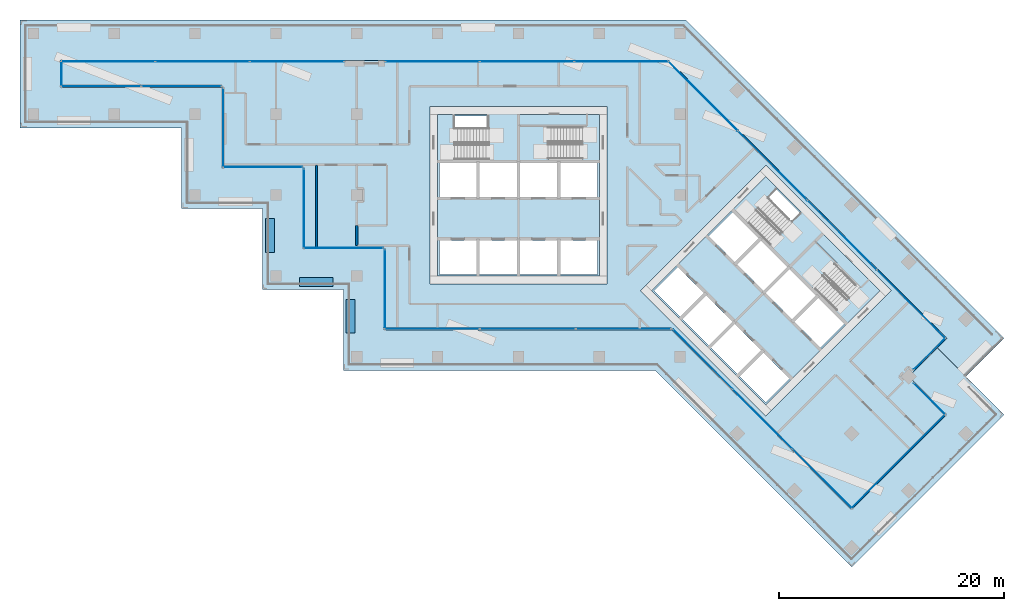
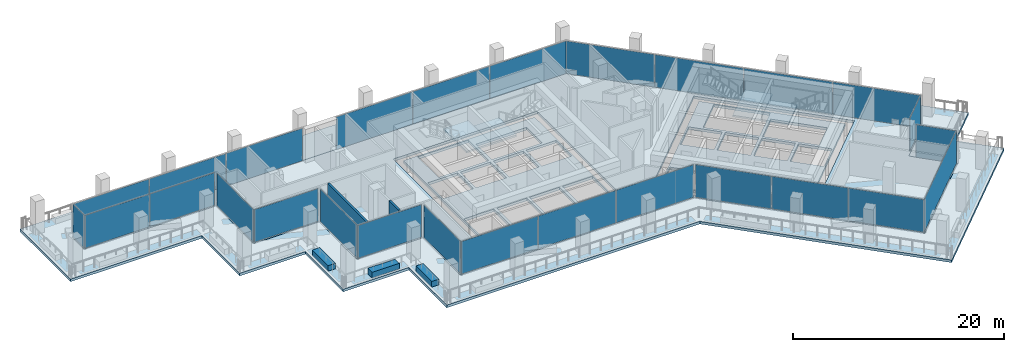
# One storey, part 9 of 21: 27 plates, 8 slabs, 5 walls, 22 openings, 19 elements without a shape of their own.
"""IFC4 building model written with IfcOpenShell, lengths in metres."""

from ifc_helpers import new_model, si_unit, direction, frame, frame_2d, origin, origin_2d, place, context, subcontext, project, spatial, polyline, rectangle, outline, extrude, material, layer, layer_set, type_object, element, aggregate, save


model = new_model("IFC4")

# Units and contexts
model_context = context("Model", 3, precision=1e-05, world=origin(), true_north=direction((0.0, 1.0)))
body_context = subcontext(model_context, "Body", "Model", "MODEL_VIEW")
ifc_project = project(units=[si_unit("LENGTHUNIT", "METRE"), si_unit("AREAUNIT", "SQUARE_METRE"), si_unit("VOLUMEUNIT", "CUBIC_METRE"), si_unit("PLANEANGLEUNIT", "RADIAN"), si_unit("MASSUNIT", "GRAM", prefix="KILO")], contexts=[model_context])

# Site, building, storey
site_placement = place(None, origin())
site = spatial("IfcSite", under=ifc_project, at=site_placement, CompositionType="ELEMENT")
building_placement = place(site_placement, origin())
building = spatial("IfcBuilding", under=site, at=building_placement, Name="Windrow Commons", CompositionType="ELEMENT")
storey_placement = place(building_placement, frame((0.0, 0.0, 131.2)))
storey = spatial("IfcBuildingStorey", under=building, at=storey_placement, Name="L35", CompositionType="ELEMENT", Elevation=131.2)

# Slab, openings
ifc_material_1 = material(Name="Concrete C50/60", Category="concrete")
ifc_layer_1 = layer(ifc_material_1, 0.3)
ifc_layer_set_1 = layer_set([ifc_layer_1], Name="CORE FLOOR SLAB 300 C50/60")
slab_type_1 = type_object("IfcSlabType", Name="CORE FLOOR SLAB 300 C50/60", PredefinedType="FLOOR", material=ifc_layer_set_1)
placement_1 = place(storey_placement, frame((0.0, 0.0, -0.3)))
slab_1 = element("IfcSlab", 1, at=placement_1, inside=storey, type_object=slab_type_1, Name="S-L35-core-A", PredefinedType="FLOOR", context=body_context, shape_type="SweptSolid", body=[
    extrude(outline(polyline([(57.6, 50.4), (72.0, 50.4), (72.0, 64.8), (57.6, 64.8), (57.6, 50.4)]), holes=[polyline([(57.75, 50.55), (61.05, 50.55), (61.05, 53.55), (57.75, 53.55), (57.75, 50.55)]), polyline([(61.35, 50.55), (64.65, 50.55), (64.65, 53.55), (61.35, 53.55), (61.35, 50.55)]), polyline([(64.95, 50.55), (68.25, 50.55), (68.25, 53.55), (64.95, 53.55), (64.95, 50.55)]), polyline([(68.55, 50.55), (71.85, 50.55), (71.85, 53.55), (68.55, 53.55), (68.55, 50.55)]), polyline([(57.75, 57.45), (61.05, 57.45), (61.05, 60.45), (57.75, 60.45), (57.75, 57.45)]), polyline([(61.35, 57.45), (64.65, 57.45), (64.65, 60.45), (61.35, 60.45), (61.35, 57.45)]), polyline([(64.95, 57.45), (68.25, 57.45), (68.25, 60.45), (64.95, 60.45), (64.95, 57.45)]), polyline([(68.55, 57.45), (71.85, 57.45), (71.85, 60.45), (68.55, 60.45), (68.55, 57.45)]), polyline([(59.1, 60.75), (64.65, 60.75), (64.65, 64.65), (59.1, 64.65), (59.1, 60.75)]), polyline([(64.95, 60.75), (70.5, 60.75), (70.5, 63.705), (64.95, 63.705), (64.95, 60.75)])]), origin(), (0.0, 0.0, 1.0), 0.3),
])
opening_1_placement = place(placement_1, origin())
element("IfcOpeningElement", 2, at=opening_1_placement, cuts=slab_1, Name="Slab opening S-L35-core-A 1", PredefinedType="OPENING", context=body_context, shape_type="SweptSolid", body=[
    extrude(outline(polyline([(57.755, 50.555), (57.755, 53.545), (61.045, 53.545), (61.045, 50.555), (57.755, 50.555)])), origin(), (0.0, 0.0, 1.0), 0.3),
])
opening_2_placement = place(placement_1, origin())
element("IfcOpeningElement", 3, at=opening_2_placement, cuts=slab_1, Name="Slab opening S-L35-core-A 2", PredefinedType="OPENING", context=body_context, shape_type="SweptSolid", body=[
    extrude(outline(polyline([(61.355, 50.555), (61.355, 53.545), (64.645, 53.545), (64.645, 50.555), (61.355, 50.555)])), origin(), (0.0, 0.0, 1.0), 0.3),
])
opening_3_placement = place(placement_1, origin())
element("IfcOpeningElement", 4, at=opening_3_placement, cuts=slab_1, Name="Slab opening S-L35-core-A 3", PredefinedType="OPENING", context=body_context, shape_type="SweptSolid", body=[
    extrude(outline(polyline([(64.955, 50.555), (64.955, 53.545), (68.245, 53.545), (68.245, 50.555), (64.955, 50.555)])), origin(), (0.0, 0.0, 1.0), 0.3),
])
opening_4_placement = place(placement_1, origin())
element("IfcOpeningElement", 5, at=opening_4_placement, cuts=slab_1, Name="Slab opening S-L35-core-A 4", PredefinedType="OPENING", context=body_context, shape_type="SweptSolid", body=[
    extrude(outline(polyline([(68.555, 50.555), (68.555, 53.545), (71.845, 53.545), (71.845, 50.555), (68.555, 50.555)])), origin(), (0.0, 0.0, 1.0), 0.3),
])
opening_5_placement = place(placement_1, origin())
element("IfcOpeningElement", 6, at=opening_5_placement, cuts=slab_1, Name="Slab opening S-L35-core-A 5", PredefinedType="OPENING", context=body_context, shape_type="SweptSolid", body=[
    extrude(outline(polyline([(57.755, 57.455), (57.755, 60.445), (61.045, 60.445), (61.045, 57.455), (57.755, 57.455)])), origin(), (0.0, 0.0, 1.0), 0.3),
])
opening_6_placement = place(placement_1, origin())
element("IfcOpeningElement", 7, at=opening_6_placement, cuts=slab_1, Name="Slab opening S-L35-core-A 6", PredefinedType="OPENING", context=body_context, shape_type="SweptSolid", body=[
    extrude(outline(polyline([(61.355, 57.455), (61.355, 60.445), (64.645, 60.445), (64.645, 57.455), (61.355, 57.455)])), origin(), (0.0, 0.0, 1.0), 0.3),
])
opening_7_placement = place(placement_1, origin())
element("IfcOpeningElement", 8, at=opening_7_placement, cuts=slab_1, Name="Slab opening S-L35-core-A 7", PredefinedType="OPENING", context=body_context, shape_type="SweptSolid", body=[
    extrude(outline(polyline([(64.955, 57.455), (64.955, 60.445), (68.245, 60.445), (68.245, 57.455), (64.955, 57.455)])), origin(), (0.0, 0.0, 1.0), 0.3),
])
opening_8_placement = place(placement_1, origin())
element("IfcOpeningElement", 9, at=opening_8_placement, cuts=slab_1, Name="Slab opening S-L35-core-A 8", PredefinedType="OPENING", context=body_context, shape_type="SweptSolid", body=[
    extrude(outline(polyline([(68.555, 57.455), (68.555, 60.445), (71.845, 60.445), (71.845, 57.455), (68.555, 57.455)])), origin(), (0.0, 0.0, 1.0), 0.3),
])
opening_9_placement = place(placement_1, origin())
element("IfcOpeningElement", 10, at=opening_9_placement, cuts=slab_1, Name="Slab opening S-L35-core-A 9", PredefinedType="OPENING", context=body_context, shape_type="SweptSolid", body=[
    extrude(outline(polyline([(59.105, 60.755), (59.105, 64.645), (64.645, 64.645), (64.645, 60.755), (59.105, 60.755)])), origin(), (0.0, 0.0, 1.0), 0.3),
])
opening_10_placement = place(placement_1, origin())
element("IfcOpeningElement", 11, at=opening_10_placement, cuts=slab_1, Name="Slab opening S-L35-core-A 10", PredefinedType="OPENING", context=body_context, shape_type="SweptSolid", body=[
    extrude(outline(polyline([(64.955, 60.755), (64.955, 63.7), (70.495, 63.7), (70.495, 60.755), (64.955, 60.755)])), origin(), (0.0, 0.0, 1.0), 0.3),
])

slab_2 = element("IfcSlab", 12, at=placement_1, inside=storey, type_object=slab_type_1, Name="S-L35-core-B", PredefinedType="FLOOR", context=body_context, shape_type="SweptSolid", body=[
    extrude(outline(polyline([(76.6544, 49.0897), (86.8368, 38.9074), (97.0191, 49.0897), (86.8368, 59.2721), (76.6544, 49.0897)]), holes=[polyline([(76.8665, 49.0897), (79.2, 46.7563), (81.3213, 48.8776), (78.9879, 51.2111), (76.8665, 49.0897)]), polyline([(79.4121, 46.5442), (81.7456, 44.2107), (83.8669, 46.332), (81.5335, 48.6655), (79.4121, 46.5442)]), polyline([(81.9577, 43.9986), (84.2912, 41.6651), (86.4125, 43.7864), (84.079, 46.1199), (81.9577, 43.9986)]), polyline([(84.5033, 41.453), (86.8368, 39.1195), (88.9581, 41.2409), (86.6246, 43.5743), (84.5033, 41.453)]), polyline([(81.7456, 53.9688), (84.079, 51.6353), (86.2004, 53.7566), (83.8669, 56.0901), (81.7456, 53.9688)]), polyline([(84.2912, 51.4232), (86.6246, 49.0897), (88.7459, 51.2111), (86.4125, 53.5445), (84.2912, 51.4232)]), polyline([(86.8368, 48.8776), (89.1702, 46.5442), (91.2915, 48.6655), (88.9581, 50.9989), (86.8368, 48.8776)]), polyline([(89.3823, 46.332), (91.7158, 43.9986), (93.8371, 46.1199), (91.5037, 48.4533), (89.3823, 46.332)]), polyline([(85.0336, 55.3476), (88.9581, 51.4232), (91.7158, 54.1809), (87.7913, 58.1054), (85.0336, 55.3476)]), polyline([(89.1702, 51.2111), (93.0946, 47.2866), (95.1841, 49.3761), (91.2597, 53.3006), (89.1702, 51.2111)])]), origin(), (0.0, 0.0, 1.0), 0.3),
])
opening_11_placement = place(placement_1, origin())
element("IfcOpeningElement", 13, at=opening_11_placement, cuts=slab_2, Name="Slab opening S-L35-core-B 1", PredefinedType="OPENING", context=body_context, shape_type="SweptSolid", body=[
    extrude(outline(polyline([(76.8736, 49.0897), (78.9879, 51.204), (81.3142, 48.8776), (79.2, 46.7634), (76.8736, 49.0897)])), origin(), (0.0, 0.0, 1.0), 0.3),
])
opening_12_placement = place(placement_1, origin())
element("IfcOpeningElement", 14, at=opening_12_placement, cuts=slab_2, Name="Slab opening S-L35-core-B 2", PredefinedType="OPENING", context=body_context, shape_type="SweptSolid", body=[
    extrude(outline(polyline([(79.4192, 46.5442), (81.5335, 48.6584), (83.8598, 46.332), (81.7456, 44.2178), (79.4192, 46.5442)])), origin(), (0.0, 0.0, 1.0), 0.3),
])
opening_13_placement = place(placement_1, origin())
element("IfcOpeningElement", 15, at=opening_13_placement, cuts=slab_2, Name="Slab opening S-L35-core-B 3", PredefinedType="OPENING", context=body_context, shape_type="SweptSolid", body=[
    extrude(outline(polyline([(81.9648, 43.9986), (84.079, 46.1128), (86.4054, 43.7864), (84.2912, 41.6722), (81.9648, 43.9986)])), origin(), (0.0, 0.0, 1.0), 0.3),
])
opening_14_placement = place(placement_1, origin())
element("IfcOpeningElement", 16, at=opening_14_placement, cuts=slab_2, Name="Slab opening S-L35-core-B 4", PredefinedType="OPENING", context=body_context, shape_type="SweptSolid", body=[
    extrude(outline(polyline([(84.5104, 41.453), (86.6246, 43.5672), (88.951, 41.2409), (86.8368, 39.1266), (84.5104, 41.453)])), origin(), (0.0, 0.0, 1.0), 0.3),
])
opening_15_placement = place(placement_1, origin())
element("IfcOpeningElement", 17, at=opening_15_placement, cuts=slab_2, Name="Slab opening S-L35-core-B 5", PredefinedType="OPENING", context=body_context, shape_type="SweptSolid", body=[
    extrude(outline(polyline([(81.7527, 53.9688), (83.8669, 56.083), (86.1933, 53.7566), (84.079, 51.6424), (81.7527, 53.9688)])), origin(), (0.0, 0.0, 1.0), 0.3),
])
opening_16_placement = place(placement_1, origin())
element("IfcOpeningElement", 18, at=opening_16_placement, cuts=slab_2, Name="Slab opening S-L35-core-B 6", PredefinedType="OPENING", context=body_context, shape_type="SweptSolid", body=[
    extrude(outline(polyline([(84.2983, 51.4232), (86.4125, 53.5374), (88.7388, 51.2111), (86.6246, 49.0968), (84.2983, 51.4232)])), origin(), (0.0, 0.0, 1.0), 0.3),
])
opening_17_placement = place(placement_1, origin())
element("IfcOpeningElement", 19, at=opening_17_placement, cuts=slab_2, Name="Slab opening S-L35-core-B 7", PredefinedType="OPENING", context=body_context, shape_type="SweptSolid", body=[
    extrude(outline(polyline([(86.8439, 48.8776), (88.9581, 50.9918), (91.2844, 48.6655), (89.1702, 46.5513), (86.8439, 48.8776)])), origin(), (0.0, 0.0, 1.0), 0.3),
])
opening_18_placement = place(placement_1, origin())
element("IfcOpeningElement", 20, at=opening_18_placement, cuts=slab_2, Name="Slab opening S-L35-core-B 8", PredefinedType="OPENING", context=body_context, shape_type="SweptSolid", body=[
    extrude(outline(polyline([(89.3894, 46.332), (91.5037, 48.4462), (93.83, 46.1199), (91.7158, 44.0057), (89.3894, 46.332)])), origin(), (0.0, 0.0, 1.0), 0.3),
])
opening_19_placement = place(placement_1, origin())
element("IfcOpeningElement", 21, at=opening_19_placement, cuts=slab_2, Name="Slab opening S-L35-core-B 9", PredefinedType="OPENING", context=body_context, shape_type="SweptSolid", body=[
    extrude(outline(polyline([(85.0407, 55.3476), (87.7913, 58.0983), (91.7087, 54.1809), (88.9581, 51.4303), (85.0407, 55.3476)])), origin(), (0.0, 0.0, 1.0), 0.3),
])
opening_20_placement = place(placement_1, origin())
element("IfcOpeningElement", 22, at=opening_20_placement, cuts=slab_2, Name="Slab opening S-L35-core-B 10", PredefinedType="OPENING", context=body_context, shape_type="SweptSolid", body=[
    extrude(outline(polyline([(89.1773, 51.2111), (91.2597, 53.2935), (95.177, 49.3761), (93.0946, 47.2937), (89.1773, 51.2111)])), origin(), (0.0, 0.0, 1.0), 0.3),
])

# Curtain wall, plate
ifc_material_2 = material(Name="Clear laminated glass in Aluminium 6063-T6 anodised frame", Category="aluminium")
curtain_wall_type = type_object("IfcCurtainWallType", Name="Curtain wall CW2M sky lounge mid", PredefinedType="USERDEFINED", material=ifc_material_2)
placement_2 = place(storey_placement, origin())
curtain_wall_1 = element("IfcCurtainWall", 23, at=placement_2, inside=storey, type_object=curtain_wall_type, Name="Curtain wall CW2M L35 1", ObjectType="UNITISED", PredefinedType="USERDEFINED")
ifc_material_3 = material(Name="Clear laminated glass", Category="glass")
ifc_layer_2 = layer(ifc_material_3, 0.03)
ifc_layer_set_2 = layer_set([ifc_layer_2], Name="CW2M panel glass 30")
plate_type = type_object("IfcPlateType", Name="CW2M panel glass 30", PredefinedType="CURTAIN_PANEL", material=ifc_layer_set_2)
plate_1_placement = place(storey_placement, frame((101.4382, 39.4381, 0.06), z_axis=(0.0, 0.0, 1.0), x_axis=(-0.7071067812, 0.7071067812, 0.0)))
plate_1 = element("IfcPlate", 24, at=plate_1_placement, type_object=plate_type, Name="CW2M panel 1.1", PredefinedType="CURTAIN_PANEL", context=body_context, shape_type="SweptSolid", body=[
    extrude(rectangle(XDim=3.9809, YDim=0.03, at=origin_2d()), origin(), (0.0, 0.0, 1.0), 3.78),
])
aggregate(curtain_wall_1, [plate_1])

curtain_wall_2 = element("IfcCurtainWall", 25, at=placement_2, inside=storey, type_object=curtain_wall_type, Name="Curtain wall CW2M L35 2", ObjectType="UNITISED", PredefinedType="USERDEFINED")
plate_2_placement = place(storey_placement, frame((101.4382, 43.4679, 0.06), z_axis=(0.0, 0.0, 1.0), x_axis=(0.7071067812, 0.7071067812, 0.0)))
plate_2 = element("IfcPlate", 26, at=plate_2_placement, type_object=plate_type, Name="CW2M panel 1.1", PredefinedType="CURTAIN_PANEL", context=body_context, shape_type="SweptSolid", body=[
    extrude(rectangle(XDim=3.9809, YDim=0.03, at=origin_2d()), origin(), (0.0, 0.0, 1.0), 3.78),
])
aggregate(curtain_wall_2, [plate_2])

# Curtain wall, plates
curtain_wall_3 = element("IfcCurtainWall", 27, at=placement_2, inside=storey, type_object=curtain_wall_type, Name="Curtain wall CW2M L35 3", ObjectType="UNITISED", PredefinedType="USERDEFINED")
plate_3_placement = place(storey_placement, frame((99.7834, 47.8811, 0.06), z_axis=(0.0, 0.0, 1.0), x_axis=(-0.7071067812, 0.7071067812, 0.0)))
plate_3 = element("IfcPlate", 28, at=plate_3_placement, type_object=plate_type, Name="CW2M panel 1.1", PredefinedType="CURTAIN_PANEL", context=body_context, shape_type="SweptSolid", body=[
    extrude(rectangle(XDim=8.6615, YDim=0.03, at=origin_2d()), origin(), (0.0, 0.0, 1.0), 3.78),
])
plate_4_placement = place(storey_placement, frame((93.6058, 54.0587, 0.06), z_axis=(0.0, 0.0, 1.0), x_axis=(-0.7071067812, 0.7071067812, 0.0)))
plate_4 = element("IfcPlate", 29, at=plate_4_placement, type_object=plate_type, Name="CW2M panel 2.1", PredefinedType="CURTAIN_PANEL", context=body_context, shape_type="SweptSolid", body=[
    extrude(rectangle(XDim=8.6915, YDim=0.03, at=origin_2d()), origin(), (0.0, 0.0, 1.0), 3.78),
])
plate_5_placement = place(storey_placement, frame((87.4175, 60.247, 0.06), z_axis=(0.0, 0.0, 1.0), x_axis=(-0.7071067812, 0.7071067812, 0.0)))
plate_5 = element("IfcPlate", 30, at=plate_5_placement, type_object=plate_type, Name="CW2M panel 3.1", PredefinedType="CURTAIN_PANEL", context=body_context, shape_type="SweptSolid", body=[
    extrude(rectangle(XDim=8.6915, YDim=0.03, at=origin_2d()), origin(), (0.0, 0.0, 1.0), 3.78),
])
plate_6_placement = place(storey_placement, frame((81.2399, 66.4246, 0.06), z_axis=(0.0, 0.0, 1.0), x_axis=(-0.7071067812, 0.7071067812, 0.0)))
plate_6 = element("IfcPlate", 31, at=plate_6_placement, type_object=plate_type, Name="CW2M panel 4.1", PredefinedType="CURTAIN_PANEL", context=body_context, shape_type="SweptSolid", body=[
    extrude(rectangle(XDim=8.6615, YDim=0.03, at=origin_2d()), origin(), (0.0, 0.0, 1.0), 3.78),
])
aggregate(curtain_wall_3, [plate_3, plate_4, plate_5, plate_6])

curtain_wall_4 = element("IfcCurtainWall", 32, at=placement_2, inside=storey, type_object=curtain_wall_type, Name="Curtain wall CW2M L35 4.1", ObjectType="UNITISED", PredefinedType="USERDEFINED")
plate_7_placement = place(storey_placement, frame((73.9737, 69.5, 0.06), z_axis=(0.0, 0.0, 1.0), x_axis=(-1.0, 0.0, 0.0)))
plate_7 = element("IfcPlate", 33, at=plate_7_placement, type_object=plate_type, Name="CW2M panel 1.1", PredefinedType="CURTAIN_PANEL", context=body_context, shape_type="SweptSolid", body=[
    extrude(rectangle(XDim=8.3443, YDim=0.03, at=origin_2d()), origin(), (0.0, 0.0, 1.0), 3.78),
])
plate_8_placement = place(storey_placement, frame((65.5544, 69.5, 0.06), z_axis=(0.0, 0.0, 1.0), x_axis=(-1.0, 0.0, 0.0)))
plate_8 = element("IfcPlate", 34, at=plate_8_placement, type_object=plate_type, Name="CW2M panel 2.1", PredefinedType="CURTAIN_PANEL", context=body_context, shape_type="SweptSolid", body=[
    extrude(rectangle(XDim=8.3743, YDim=0.03, at=origin_2d()), origin(), (0.0, 0.0, 1.0), 3.78),
])
plate_9_placement = place(storey_placement, frame((57.1351, 69.5, 0.06), z_axis=(0.0, 0.0, 1.0), x_axis=(-1.0, 0.0, 0.0)))
plate_9 = element("IfcPlate", 35, at=plate_9_placement, type_object=plate_type, Name="CW2M panel 3.1", PredefinedType="CURTAIN_PANEL", context=body_context, shape_type="SweptSolid", body=[
    extrude(rectangle(XDim=8.3443, YDim=0.03, at=origin_2d()), origin(), (0.0, 0.0, 1.0), 3.78),
])
aggregate(curtain_wall_4, [plate_7, plate_8, plate_9])

curtain_wall_5 = element("IfcCurtainWall", 36, at=placement_2, inside=storey, type_object=curtain_wall_type, Name="Curtain wall CW2M L35 4.2", ObjectType="UNITISED", PredefinedType="USERDEFINED")
plate_10_placement = place(storey_placement, frame((45.0707, 69.5, 0.06), z_axis=(0.0, 0.0, 1.0), x_axis=(-1.0, 0.0, 0.0)))
plate_10 = element("IfcPlate", 37, at=plate_10_placement, type_object=plate_type, Name="CW2M panel 1.1", PredefinedType="CURTAIN_PANEL", context=body_context, shape_type="SweptSolid", body=[
    extrude(rectangle(XDim=8.3443, YDim=0.03, at=origin_2d()), origin(), (0.0, 0.0, 1.0), 3.78),
])
plate_11_placement = place(storey_placement, frame((36.6514, 69.5, 0.06), z_axis=(0.0, 0.0, 1.0), x_axis=(-1.0, 0.0, 0.0)))
plate_11 = element("IfcPlate", 38, at=plate_11_placement, type_object=plate_type, Name="CW2M panel 2.1", PredefinedType="CURTAIN_PANEL", context=body_context, shape_type="SweptSolid", body=[
    extrude(rectangle(XDim=8.3743, YDim=0.03, at=origin_2d()), origin(), (0.0, 0.0, 1.0), 3.78),
])
plate_12_placement = place(storey_placement, frame((28.2322, 69.5, 0.06), z_axis=(0.0, 0.0, 1.0), x_axis=(-1.0, 0.0, 0.0)))
plate_12 = element("IfcPlate", 39, at=plate_12_placement, type_object=plate_type, Name="CW2M panel 3.1", PredefinedType="CURTAIN_PANEL", context=body_context, shape_type="SweptSolid", body=[
    extrude(rectangle(XDim=8.3443, YDim=0.03, at=origin_2d()), origin(), (0.0, 0.0, 1.0), 3.78),
])
aggregate(curtain_wall_5, [plate_10, plate_11, plate_12])

# Curtain wall, plate
curtain_wall_6 = element("IfcCurtainWall", 40, at=placement_2, inside=storey, type_object=curtain_wall_type, Name="Curtain wall CW2M L35 5", ObjectType="UNITISED", PredefinedType="USERDEFINED")
plate_13_placement = place(storey_placement, frame((24.1, 68.4, 0.06), z_axis=(0.0, 0.0, 1.0), x_axis=(0.0, -1.0, 0.0)))
plate_13 = element("IfcPlate", 41, at=plate_13_placement, type_object=plate_type, Name="CW2M panel 1.1", PredefinedType="CURTAIN_PANEL", context=body_context, shape_type="SweptSolid", body=[
    extrude(rectangle(XDim=2.28, YDim=0.03, at=origin_2d()), origin(), (0.0, 0.0, 1.0), 3.78),
])
aggregate(curtain_wall_6, [plate_13])

# Curtain wall, plates
curtain_wall_7 = element("IfcCurtainWall", 42, at=placement_2, inside=storey, type_object=curtain_wall_type, Name="Curtain wall CW2M L35 6", ObjectType="UNITISED", PredefinedType="USERDEFINED")
plate_14_placement = place(storey_placement, frame((27.615, 67.3, 0.06), z_axis=(0.0, 0.0, 1.0), x_axis=(1.0, 0.0, 0.0)))
plate_14 = element("IfcPlate", 43, at=plate_14_placement, type_object=plate_type, Name="CW2M panel 1.1", PredefinedType="CURTAIN_PANEL", context=body_context, shape_type="SweptSolid", body=[
    extrude(rectangle(XDim=7.11, YDim=0.03, at=origin_2d()), origin(), (0.0, 0.0, 1.0), 3.78),
])
plate_15_placement = place(storey_placement, frame((34.785, 67.3, 0.06), z_axis=(0.0, 0.0, 1.0), x_axis=(1.0, 0.0, 0.0)))
plate_15 = element("IfcPlate", 44, at=plate_15_placement, type_object=plate_type, Name="CW2M panel 2.1", PredefinedType="CURTAIN_PANEL", context=body_context, shape_type="SweptSolid", body=[
    extrude(rectangle(XDim=7.11, YDim=0.03, at=origin_2d()), origin(), (0.0, 0.0, 1.0), 3.78),
])
aggregate(curtain_wall_7, [plate_14, plate_15])

# Curtain wall, plate
curtain_wall_8 = element("IfcCurtainWall", 45, at=placement_2, inside=storey, type_object=curtain_wall_type, Name="Curtain wall CW2M L35 7", ObjectType="UNITISED", PredefinedType="USERDEFINED")
plate_16_placement = place(storey_placement, frame((38.5, 63.6, 0.06), z_axis=(0.0, 0.0, 1.0), x_axis=(0.0, -1.0, 0.0)))
plate_16 = element("IfcPlate", 46, at=plate_16_placement, type_object=plate_type, Name="CW2M panel 1.1", PredefinedType="CURTAIN_PANEL", context=body_context, shape_type="SweptSolid", body=[
    extrude(rectangle(XDim=7.08, YDim=0.03, at=origin_2d()), origin(), (0.0, 0.0, 1.0), 3.78),
])
aggregate(curtain_wall_8, [plate_16])

curtain_wall_9 = element("IfcCurtainWall", 47, at=placement_2, inside=storey, type_object=curtain_wall_type, Name="Curtain wall CW2M L35 8", ObjectType="UNITISED", PredefinedType="USERDEFINED")
plate_17_placement = place(storey_placement, frame((42.0, 60.1, 0.06), z_axis=(0.0, 0.0, 1.0), x_axis=(1.0, 0.0, 0.0)))
plate_17 = element("IfcPlate", 48, at=plate_17_placement, type_object=plate_type, Name="CW2M panel 1.1", PredefinedType="CURTAIN_PANEL", context=body_context, shape_type="SweptSolid", body=[
    extrude(rectangle(XDim=7.08, YDim=0.03, at=origin_2d()), origin(), (0.0, 0.0, 1.0), 3.78),
])
aggregate(curtain_wall_9, [plate_17])

curtain_wall_10 = element("IfcCurtainWall", 49, at=placement_2, inside=storey, type_object=curtain_wall_type, Name="Curtain wall CW2M L35 9", ObjectType="UNITISED", PredefinedType="USERDEFINED")
plate_18_placement = place(storey_placement, frame((45.7, 56.4, 0.06), z_axis=(0.0, 0.0, 1.0), x_axis=(0.0, -1.0, 0.0)))
plate_18 = element("IfcPlate", 50, at=plate_18_placement, type_object=plate_type, Name="CW2M panel 1.1", PredefinedType="CURTAIN_PANEL", context=body_context, shape_type="SweptSolid", body=[
    extrude(rectangle(XDim=7.08, YDim=0.03, at=origin_2d()), origin(), (0.0, 0.0, 1.0), 3.78),
])
aggregate(curtain_wall_10, [plate_18])

curtain_wall_11 = element("IfcCurtainWall", 51, at=placement_2, inside=storey, type_object=curtain_wall_type, Name="Curtain wall CW2M L35 10", ObjectType="UNITISED", PredefinedType="USERDEFINED")
plate_19_placement = place(storey_placement, frame((49.2, 52.9, 0.06), z_axis=(0.0, 0.0, 1.0), x_axis=(1.0, 0.0, 0.0)))
plate_19 = element("IfcPlate", 52, at=plate_19_placement, type_object=plate_type, Name="CW2M panel 1.1", PredefinedType="CURTAIN_PANEL", context=body_context, shape_type="SweptSolid", body=[
    extrude(rectangle(XDim=7.08, YDim=0.03, at=origin_2d()), origin(), (0.0, 0.0, 1.0), 3.78),
])
aggregate(curtain_wall_11, [plate_19])

curtain_wall_12 = element("IfcCurtainWall", 53, at=placement_2, inside=storey, type_object=curtain_wall_type, Name="Curtain wall CW2M L35 11", ObjectType="UNITISED", PredefinedType="USERDEFINED")
plate_20_placement = place(storey_placement, frame((52.9, 49.2, 0.06), z_axis=(0.0, 0.0, 1.0), x_axis=(0.0, -1.0, 0.0)))
plate_20 = element("IfcPlate", 54, at=plate_20_placement, type_object=plate_type, Name="CW2M panel 1.1", PredefinedType="CURTAIN_PANEL", context=body_context, shape_type="SweptSolid", body=[
    extrude(rectangle(XDim=7.08, YDim=0.03, at=origin_2d()), origin(), (0.0, 0.0, 1.0), 3.78),
])
aggregate(curtain_wall_12, [plate_20])

# Curtain wall, plates
curtain_wall_13 = element("IfcCurtainWall", 55, at=placement_2, inside=storey, type_object=curtain_wall_type, Name="Curtain wall CW2M L35 12", ObjectType="UNITISED", PredefinedType="USERDEFINED")
plate_21_placement = place(storey_placement, frame((57.0895, 45.7, 0.06), z_axis=(0.0, 0.0, 1.0), x_axis=(1.0, 0.0, 0.0)))
plate_21 = element("IfcPlate", 56, at=plate_21_placement, type_object=plate_type, Name="CW2M panel 1.1", PredefinedType="CURTAIN_PANEL", context=body_context, shape_type="SweptSolid", body=[
    extrude(rectangle(XDim=8.459, YDim=0.03, at=origin_2d()), origin(), (0.0, 0.0, 1.0), 3.78),
])
plate_22_placement = place(storey_placement, frame((65.6235, 45.7, 0.06), z_axis=(0.0, 0.0, 1.0), x_axis=(1.0, 0.0, 0.0)))
plate_22 = element("IfcPlate", 57, at=plate_22_placement, type_object=plate_type, Name="CW2M panel 2.1", PredefinedType="CURTAIN_PANEL", context=body_context, shape_type="SweptSolid", body=[
    extrude(rectangle(XDim=8.489, YDim=0.03, at=origin_2d()), origin(), (0.0, 0.0, 1.0), 3.78),
])
plate_23_placement = place(storey_placement, frame((74.1576, 45.7, 0.06), z_axis=(0.0, 0.0, 1.0), x_axis=(1.0, 0.0, 0.0)))
plate_23 = element("IfcPlate", 58, at=plate_23_placement, type_object=plate_type, Name="CW2M panel 3.1", PredefinedType="CURTAIN_PANEL", context=body_context, shape_type="SweptSolid", body=[
    extrude(rectangle(XDim=8.459, YDim=0.03, at=origin_2d()), origin(), (0.0, 0.0, 1.0), 3.78),
])
aggregate(curtain_wall_13, [plate_21, plate_22, plate_23])

curtain_wall_14 = element("IfcCurtainWall", 59, at=placement_2, inside=storey, type_object=curtain_wall_type, Name="Curtain wall CW2M L35 13", ObjectType="UNITISED", PredefinedType="USERDEFINED")
plate_24_placement = place(storey_placement, frame((81.1995, 42.989, 0.06), z_axis=(0.0, 0.0, 1.0), x_axis=(0.7071067812, -0.7071067812, 0.0)))
plate_24 = element("IfcPlate", 60, at=plate_24_placement, type_object=plate_type, Name="CW2M panel 1.1", PredefinedType="CURTAIN_PANEL", context=body_context, shape_type="SweptSolid", body=[
    extrude(rectangle(XDim=7.4649, YDim=0.03, at=origin_2d()), origin(), (0.0, 0.0, 1.0), 3.78),
])
plate_25_placement = place(storey_placement, frame((86.531, 37.6575, 0.06), z_axis=(0.0, 0.0, 1.0), x_axis=(0.7071067812, -0.7071067812, 0.0)))
plate_25 = element("IfcPlate", 61, at=plate_25_placement, type_object=plate_type, Name="CW2M panel 2.1", PredefinedType="CURTAIN_PANEL", context=body_context, shape_type="SweptSolid", body=[
    extrude(rectangle(XDim=7.4949, YDim=0.03, at=origin_2d()), origin(), (0.0, 0.0, 1.0), 3.78),
])
plate_26_placement = place(storey_placement, frame((91.8625, 32.326, 0.06), z_axis=(0.0, 0.0, 1.0), x_axis=(0.7071067812, -0.7071067812, 0.0)))
plate_26 = element("IfcPlate", 62, at=plate_26_placement, type_object=plate_type, Name="CW2M panel 3.1", PredefinedType="CURTAIN_PANEL", context=body_context, shape_type="SweptSolid", body=[
    extrude(rectangle(XDim=7.4649, YDim=0.03, at=origin_2d()), origin(), (0.0, 0.0, 1.0), 3.78),
])
aggregate(curtain_wall_14, [plate_24, plate_25, plate_26])

# Curtain wall, plate
curtain_wall_15 = element("IfcCurtainWall", 63, at=placement_2, inside=storey, type_object=curtain_wall_type, Name="Curtain wall CW2M L35 14", ObjectType="UNITISED", PredefinedType="USERDEFINED")
plate_27_placement = place(storey_placement, frame((98.6454, 33.887, 0.06), z_axis=(0.0, 0.0, 1.0), x_axis=(0.7071067812, 0.7071067812, 0.0)))
plate_27 = element("IfcPlate", 64, at=plate_27_placement, type_object=plate_type, Name="CW2M panel 1.1", PredefinedType="CURTAIN_PANEL", context=body_context, shape_type="SweptSolid", body=[
    extrude(rectangle(XDim=11.88, YDim=0.03, at=origin_2d()), origin(), (0.0, 0.0, 1.0), 3.78),
])
aggregate(curtain_wall_15, [plate_27])

# Stair, slab
ifc_material_4 = material(Name="Concrete C40/50", Category="concrete")
stair_type = type_object("IfcStairType", Name="Core stair", PredefinedType="HALF_TURN_STAIR", material=ifc_material_4)
stair_1 = element("IfcStair", 65, at=placement_2, inside=storey, type_object=stair_type, Name="L35 Exit stair A1 core A", PredefinedType="HALF_TURN_STAIR")
ifc_material_5 = material(Name="Concrete C40/50", Category="concrete")
ifc_layer_3 = layer(ifc_material_5, 0.2)
ifc_layer_set_3 = layer_set([ifc_layer_3], Name="Core stair landing")
slab_type_2 = type_object("IfcSlabType", Name="Core stair landing", PredefinedType="LANDING", material=ifc_layer_set_3)
placement_3 = place(storey_placement, frame((0.0, 0.0, 1.9)))
slab_3 = element("IfcSlab", 66, at=placement_3, type_object=slab_type_2, Name="ST-A1 landing 1", PredefinedType="LANDING", context=body_context, shape_type="SweptSolid", body=[
    extrude(outline(polyline([(62.06, 60.5), (64.8, 60.5), (64.8, 64.9), (62.06, 64.9), (62.06, 60.5)])), origin(), (0.0, 0.0, 1.0), 0.2),
])
aggregate(stair_1, [slab_3])

stair_2 = element("IfcStair", 67, at=placement_2, inside=storey, type_object=stair_type, Name="L35 Exit stair A2 core A", PredefinedType="HALF_TURN_STAIR")
slab_4 = element("IfcSlab", 68, at=placement_3, type_object=slab_type_2, Name="ST-A2 landing 1", PredefinedType="LANDING", context=body_context, shape_type="SweptSolid", body=[
    extrude(outline(polyline([(64.8, 60.5), (67.54, 60.5), (67.54, 63.855), (64.8, 63.855), (64.8, 60.5)])), origin(), (0.0, 0.0, 1.0), 0.2),
])
aggregate(stair_2, [slab_4])

stair_3 = element("IfcStair", 69, at=placement_2, inside=storey, type_object=stair_type, Name="L35 Exit stair B1 core B", PredefinedType="HALF_TURN_STAIR")
slab_5 = element("IfcSlab", 70, at=placement_3, type_object=slab_type_2, Name="ST-B1 landing 1", PredefinedType="LANDING", context=body_context, shape_type="SweptSolid", body=[
    extrude(outline(polyline([(86.9499, 53.0778), (88.8874, 51.1403), (91.9986, 54.2516), (90.0612, 56.1891), (86.9499, 53.0778)])), origin(), (0.0, 0.0, 1.0), 0.2),
])
aggregate(stair_3, [slab_5])

stair_4 = element("IfcStair", 71, at=placement_2, inside=storey, type_object=stair_type, Name="L35 Exit stair B2 core B", PredefinedType="HALF_TURN_STAIR")
slab_6 = element("IfcSlab", 72, at=placement_3, type_object=slab_type_2, Name="ST-B2 landing 1", PredefinedType="LANDING", context=body_context, shape_type="SweptSolid", body=[
    extrude(outline(polyline([(88.8874, 51.1403), (90.8248, 49.2029), (93.1971, 51.5752), (91.2597, 53.5127), (88.8874, 51.1403)])), origin(), (0.0, 0.0, 1.0), 0.2),
])
aggregate(stair_4, [slab_6])

# Slab, openings
ifc_material_6 = material(Name="Concrete C50/60", Category="concrete")
ifc_layer_4 = layer(ifc_material_6, 0.3)
ifc_layer_set_4 = layer_set([ifc_layer_4], Name="FLOOR SLAB 300 C50/60")
slab_type_3 = type_object("IfcSlabType", Name="FLOOR SLAB 300 C50/60", PredefinedType="FLOOR", material=ifc_layer_set_4)
slab_7 = element("IfcSlab", 73, at=placement_1, inside=storey, type_object=slab_type_3, Name="S-L35-floor", PredefinedType="FLOOR", context=body_context, shape_type="SweptSolid", body=[
    extrude(outline(polyline([(94.4735, 29.5736), (102.9588, 38.0589), (99.5647, 41.453), (102.9588, 44.8471), (78.2059, 69.6), (24.0, 69.6), (24.0, 67.2), (38.4, 67.2), (38.4, 60.0), (45.6, 60.0), (45.6, 52.8), (52.8, 52.8), (52.8, 45.6), (78.4471, 45.6), (94.4735, 29.5736)]), holes=[polyline([(75.6645, 49.0897), (86.8368, 60.262), (98.009, 49.0897), (86.8368, 37.9175), (75.6645, 49.0897)]), polyline([(56.9, 49.7), (56.9, 65.5), (72.7, 65.5), (72.7, 49.7), (56.9, 49.7)])]), origin(), (0.0, 0.0, 1.0), 0.3),
])
opening_21_placement = place(placement_1, origin())
element("IfcOpeningElement", 74, at=opening_21_placement, cuts=slab_7, Name="Slab opening S-L35-floor 1", PredefinedType="OPENING", context=body_context, shape_type="SweptSolid", body=[
    extrude(outline(polyline([(75.6716, 49.0897), (86.8368, 60.2549), (98.0019, 49.0897), (86.8368, 37.9246), (75.6716, 49.0897)])), origin(), (0.0, 0.0, 1.0), 0.3),
])
opening_22_placement = place(placement_1, origin())
element("IfcOpeningElement", 75, at=opening_22_placement, cuts=slab_7, Name="Slab opening S-L35-floor 2", PredefinedType="OPENING", context=body_context, shape_type="SweptSolid", body=[
    extrude(outline(polyline([(56.905, 49.705), (56.905, 65.495), (72.695, 65.495), (72.695, 49.705), (56.905, 49.705)])), origin(), (0.0, 0.0, 1.0), 0.3),
])

# Slab
ifc_material_7 = material(Name="Concrete C50/60", Category="concrete")
ifc_layer_5 = layer(ifc_material_7, 0.3)
ifc_layer_set_5 = layer_set([ifc_layer_5], Name="TERRACE SLAB 300 C50/60")
slab_type_4 = type_object("IfcSlabType", Name="TERRACE SLAB 300 C50/60", PredefinedType="FLOOR", material=ifc_layer_set_5)
element("IfcSlab", 76, at=placement_1, inside=storey, type_object=slab_type_4, Name="Terrace slab TR-L35-1", PredefinedType="FLOOR", context=body_context, shape_type="SweptSolid", body=[
    extrude(outline(polyline([(49.2, 49.2), (49.2, 42.0), (76.9559, 42.0), (94.4735, 24.4824), (108.05, 38.0589), (104.6912, 41.4176), (104.6841, 41.4106), (102.1032, 43.9915), (99.5647, 41.453), (102.9588, 38.0589), (94.4735, 29.5736), (78.4471, 45.6), (52.8, 45.6), (52.8, 52.8), (45.6, 52.8), (45.6, 60.0), (38.4, 60.0), (38.4, 67.2), (24.0, 67.2), (24.0, 69.6), (78.2059, 69.6), (102.9588, 44.8471), (102.1173, 44.0056), (104.6629, 41.4601), (108.05, 44.8471), (79.6971, 73.2), (20.4, 73.2), (20.4, 63.6), (34.8, 63.6), (34.8, 56.4), (42.0, 56.4), (42.0, 49.2), (49.2, 49.2)])), origin(), (0.0, 0.0, 1.0), 0.3),
])

# Walls
ifc_material_8 = material(Name="Blockwork partition", Category="masonry")
ifc_layer_6 = layer(ifc_material_8, 0.2)
ifc_layer_set_6 = layer_set([ifc_layer_6], Name="IW-CORRIDOR-200")
wall_type_1 = type_object("IfcWallType", Name="IW-CORRIDOR-200", PredefinedType="PARTITIONING", material=ifc_layer_set_6)
wall_1_placement = place(storey_placement, frame((50.4, 53.1, 0.0), z_axis=(0.0, 0.0, 1.0), x_axis=(0.0, 1.0, 0.0)))
element("IfcWall", 77, at=wall_1_placement, inside=storey, type_object=wall_type_1, Name="W-L35-W046", PredefinedType="PARTITIONING", context=body_context, shape_type="SweptSolid", body=[
    extrude(rectangle(XDim=1.8, YDim=0.2, at=frame_2d((0.9, 0.0))), origin(), (0.0, 0.0, 1.0), 3.9),
])
ifc_material_9 = material(Name="Blockwork partition", Category="masonry")
ifc_layer_7 = layer(ifc_material_9, 0.2)
ifc_layer_set_7 = layer_set([ifc_layer_7], Name="IW-PARTY-200")
wall_type_2 = type_object("IfcWallType", Name="IW-PARTY-200", PredefinedType="PARTITIONING", material=ifc_layer_set_7)
wall_2_placement = place(storey_placement, frame((46.8, 52.93, 0.0), z_axis=(0.0, 0.0, 1.0), x_axis=(0.0, 1.0, 0.0)))
element("IfcWall", 78, at=wall_2_placement, inside=storey, type_object=wall_type_2, Name="W-L35-W010", PredefinedType="PARTITIONING", context=body_context, shape_type="SweptSolid", body=[
    extrude(rectangle(XDim=7.37, YDim=0.2, at=frame_2d((3.685, 0.0))), origin(), (0.0, 0.0, 1.0), 3.9),
])
ifc_material_10 = material(Name="Concrete C30/37 planter wall", Category="concrete")
ifc_layer_8 = layer(ifc_material_10, 0.8)
ifc_layer_set_8 = layer_set([ifc_layer_8], Name="Planter 800x600")
wall_type_3 = type_object("IfcWallType", Name="Planter 800x600", PredefinedType="SOLIDWALL", material=ifc_layer_set_8)
for number, where, z_axis, x_axis, name in (
    (79, (42.65, 55.5, 0.0), (0.0, 0.0, 1.0), (0.0, -1.0, 0.0), "PLANTER TR-L35-1.11"),
    (80, (45.3, 49.85, 0.0), (0.0, 0.0, 1.0), (1.0, 0.0, 0.0), "PLANTER TR-L35-1.12"),
    (81, (49.85, 48.3, 0.0), (0.0, 0.0, 1.0), (0.0, -1.0, 0.0), "PLANTER TR-L35-1.13"),
):
    element("IfcWall", number, at=place(storey_placement, frame(where, z_axis=z_axis, x_axis=x_axis)), inside=storey, type_object=wall_type_3, Name=name, PredefinedType="SOLIDWALL", context=body_context, shape_type="SweptSolid", body=[
        extrude(rectangle(XDim=3.0, YDim=0.8, at=frame_2d((1.5, 0.0))), origin(), (0.0, 0.0, 1.0), 0.65),
    ])

save(model, "model.ifc")
